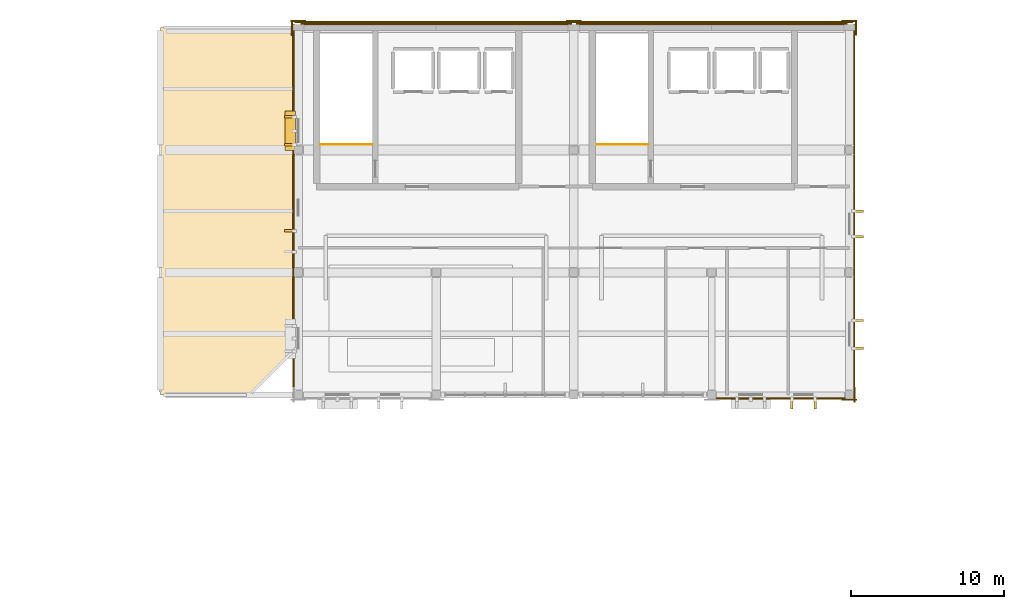
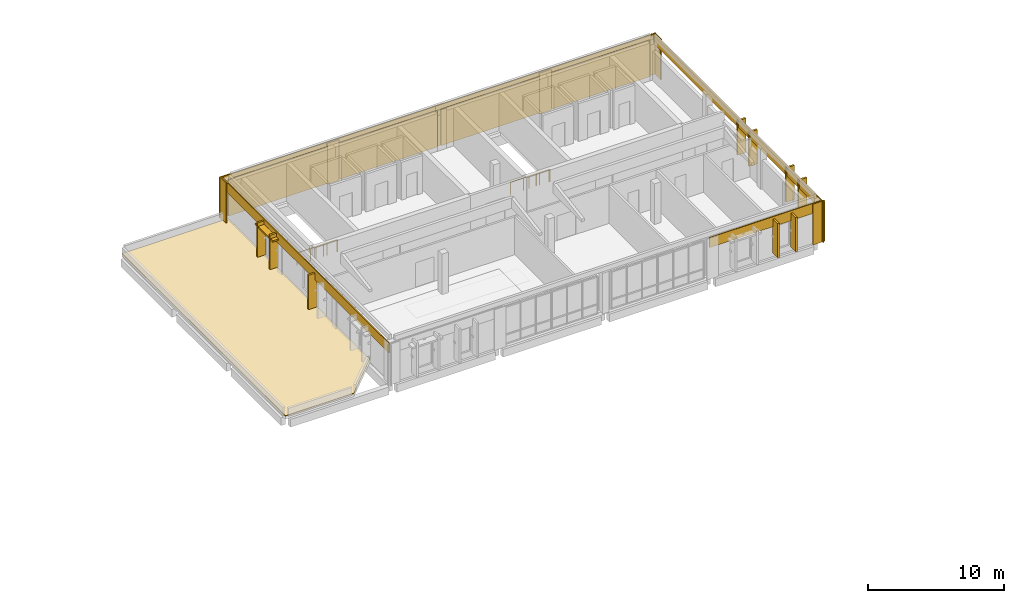
# One storey, part 11 of 12: 21 coverings, 10 shading devices, 4 railings.
"""IFC4 building model written with IfcOpenShell, lengths in metres."""

from ifc_helpers import new_model, si_unit, direction, frame, origin, origin_2d, place, context, subcontext, project, spatial, polyline, rectangle, circle, outline, extrude, material, layer, layer_set, type_object, element, save


model = new_model("IFC4")

# Units and contexts
model_context = context("Model", 3, precision=1e-05, world=origin(), true_north=direction((0.0, 1.0)))
body_context = subcontext(model_context, "Body", "Model", "MODEL_VIEW")
ifc_project = project(units=[si_unit("LENGTHUNIT", "METRE"), si_unit("AREAUNIT", "SQUARE_METRE"), si_unit("VOLUMEUNIT", "CUBIC_METRE"), si_unit("PLANEANGLEUNIT", "RADIAN"), si_unit("MASSUNIT", "GRAM", prefix="KILO")], contexts=[model_context])

# Site, building, storey
site_placement = place(None, origin())
site = spatial("IfcSite", under=ifc_project, at=site_placement, CompositionType="ELEMENT")
building_placement = place(site_placement, origin())
building = spatial("IfcBuilding", under=site, at=building_placement, Name="Vervanel Yard Central Library", CompositionType="ELEMENT")
storey_placement = place(building_placement, frame((0.0, 0.0, 20.260009765625)))
storey = spatial("IfcBuildingStorey", under=building, at=storey_placement, Name="L05", CompositionType="ELEMENT", Elevation=20.260009765625)

# Coverings
ifc_material_1 = material(Name="Precast concrete C45/55", Category="concrete")
ifc_layer_1 = layer(ifc_material_1, 0.0849609375, Category="concrete")
ifc_layer_set_1 = layer_set([ifc_layer_1], Name="Precast concrete C45/55")
covering_type_1 = type_object("IfcCoveringType", Name="Bush-Hammered Precast Architectural Cladding Panel", PredefinedType="CLADDING", material=ifc_layer_set_1)
covering_1_placement = place(storey_placement, frame((49.5, 114.364990234375, 2.77001953125), z_axis=(0.0, 0.0, 1.0), x_axis=(1.0, 0.0, 0.0)))
element("IfcCovering", 1, at=covering_1_placement, inside=storey, type_object=covering_type_1, Name="L05 Precast Concrete Spandrel Cornice EWALL-L05-0072", PredefinedType="CLADDING", context=body_context, shape_type="SweptSolid", body=[
    extrude(rectangle(XDim=9.449951171875, YDim=0.0849609375, at=origin_2d()), origin(), (0.0, 0.0, 1.0), 0.889892578125),
])
for number, where, z_axis, x_axis, name in (
    (2, (45.0, 114.41748046875, 0.0), (0.0, 0.0, 1.0), (1.0, 0.0, 0.0), "L05 Precast Concrete Pier Pilaster EWALL-L05-0072-A"),
    (3, (54.0, 114.232421875, 0.0), (0.0, 0.0, 1.0), (1.0, 0.0, 0.0), "L05 Precast Concrete Pier Pilaster EWALL-L05-0072-B"),
):
    element("IfcCovering", number, at=place(storey_placement, frame(where, z_axis=z_axis, x_axis=x_axis)), inside=storey, type_object=covering_type_1, Name=name, PredefinedType="CLADDING", context=body_context, shape_type="SweptSolid", body=[
        extrude(rectangle(XDim=0.97998046875, YDim=0.0849609375, at=origin_2d()), origin(), (0.0, 0.0, 1.0), 3.659912109375),
    ])
covering_2_placement = place(storey_placement, frame((49.5, 114.232421875, 0.080078125), z_axis=(0.0, 0.0, 1.0), x_axis=(1.0, 0.0, 0.0)))
element("IfcCovering", 4, at=covering_2_placement, inside=storey, type_object=covering_type_1, Name="L05 Bush-Hammered Precast Cladding EWALL-L05-0072", PredefinedType="CLADDING", context=body_context, shape_type="SweptSolid", body=[
    extrude(rectangle(XDim=8.699951171875, YDim=0.0849609375, at=origin_2d()), origin(), (0.0, 0.0, 1.0), 3.22998046875),
])
covering_3_placement = place(storey_placement, frame((58.5, 114.364990234375, 2.77001953125), z_axis=(0.0, 0.0, 1.0), x_axis=(1.0, 0.0, 0.0)))
element("IfcCovering", 5, at=covering_3_placement, inside=storey, type_object=covering_type_1, Name="L05 Precast Concrete Spandrel Cornice EWALL-L05-0073", PredefinedType="CLADDING", context=body_context, shape_type="SweptSolid", body=[
    extrude(rectangle(XDim=9.449951171875, YDim=0.0849609375, at=origin_2d()), origin(), (0.0, 0.0, 1.0), 0.889892578125),
])
covering_4_placement = place(storey_placement, frame((63.0, 114.41748046875, 0.0), z_axis=(0.0, 0.0, 1.0), x_axis=(1.0, 0.0, 0.0)))
element("IfcCovering", 6, at=covering_4_placement, inside=storey, type_object=covering_type_1, Name="L05 Precast Concrete Pier Pilaster EWALL-L05-0073-B", PredefinedType="CLADDING", context=body_context, shape_type="SweptSolid", body=[
    extrude(rectangle(XDim=0.97998046875, YDim=0.0849609375, at=origin_2d()), origin(), (0.0, 0.0, 1.0), 3.659912109375),
])
covering_5_placement = place(storey_placement, frame((58.5, 114.232421875, 0.080078125), z_axis=(0.0, 0.0, 1.0), x_axis=(1.0, 0.0, 0.0)))
element("IfcCovering", 7, at=covering_5_placement, inside=storey, type_object=covering_type_1, Name="L05 Bush-Hammered Precast Cladding EWALL-L05-0073", PredefinedType="CLADDING", context=body_context, shape_type="SweptSolid", body=[
    extrude(rectangle(XDim=8.699951171875, YDim=0.0849609375, at=origin_2d()), origin(), (0.0, 0.0, 1.0), 3.22998046875),
])
covering_6_placement = place(storey_placement, frame((67.5, 114.364990234375, 2.77001953125), z_axis=(0.0, 0.0, 1.0), x_axis=(1.0, 0.0, 0.0)))
element("IfcCovering", 8, at=covering_6_placement, inside=storey, type_object=covering_type_1, Name="L05 Precast Concrete Spandrel Cornice EWALL-L05-0074", PredefinedType="CLADDING", context=body_context, shape_type="SweptSolid", body=[
    extrude(rectangle(XDim=9.449951171875, YDim=0.0849609375, at=origin_2d()), origin(), (0.0, 0.0, 1.0), 0.889892578125),
])
covering_7_placement = place(storey_placement, frame((72.0, 114.232421875, 0.0), z_axis=(0.0, 0.0, 1.0), x_axis=(1.0, 0.0, 0.0)))
element("IfcCovering", 9, at=covering_7_placement, inside=storey, type_object=covering_type_1, Name="L05 Precast Concrete Pier Pilaster EWALL-L05-0074-B", PredefinedType="CLADDING", context=body_context, shape_type="SweptSolid", body=[
    extrude(rectangle(XDim=0.97998046875, YDim=0.0849609375, at=origin_2d()), origin(), (0.0, 0.0, 1.0), 3.659912109375),
])
covering_8_placement = place(storey_placement, frame((67.5, 114.232421875, 0.080078125), z_axis=(0.0, 0.0, 1.0), x_axis=(1.0, 0.0, 0.0)))
element("IfcCovering", 10, at=covering_8_placement, inside=storey, type_object=covering_type_1, Name="L05 Bush-Hammered Precast Cladding EWALL-L05-0074", PredefinedType="CLADDING", context=body_context, shape_type="SweptSolid", body=[
    extrude(rectangle(XDim=8.699951171875, YDim=0.0849609375, at=origin_2d()), origin(), (0.0, 0.0, 1.0), 3.22998046875),
])
covering_9_placement = place(storey_placement, frame((76.5, 114.364990234375, 2.77001953125), z_axis=(0.0, 0.0, 1.0), x_axis=(1.0, 0.0, 0.0)))
element("IfcCovering", 11, at=covering_9_placement, inside=storey, type_object=covering_type_1, Name="L05 Precast Concrete Spandrel Cornice EWALL-L05-0075", PredefinedType="CLADDING", context=body_context, shape_type="SweptSolid", body=[
    extrude(rectangle(XDim=9.449951171875, YDim=0.0849609375, at=origin_2d()), origin(), (0.0, 0.0, 1.0), 0.889892578125),
])
covering_10_placement = place(storey_placement, frame((81.0, 114.41748046875, 0.0), z_axis=(0.0, 0.0, 1.0), x_axis=(1.0, 0.0, 0.0)))
element("IfcCovering", 12, at=covering_10_placement, inside=storey, type_object=covering_type_1, Name="L05 Precast Concrete Pier Pilaster EWALL-L05-0075-B", PredefinedType="CLADDING", context=body_context, shape_type="SweptSolid", body=[
    extrude(rectangle(XDim=0.97998046875, YDim=0.0849609375, at=origin_2d()), origin(), (0.0, 0.0, 1.0), 3.659912109375),
])
covering_11_placement = place(storey_placement, frame((76.5, 114.232421875, 0.080078125), z_axis=(0.0, 0.0, 1.0), x_axis=(1.0, 0.0, 0.0)))
element("IfcCovering", 13, at=covering_11_placement, inside=storey, type_object=covering_type_1, Name="L05 Bush-Hammered Precast Cladding EWALL-L05-0075", PredefinedType="CLADDING", context=body_context, shape_type="SweptSolid", body=[
    extrude(rectangle(XDim=8.699951171875, YDim=0.0849609375, at=origin_2d()), origin(), (0.0, 0.0, 1.0), 3.22998046875),
])
covering_12_placement = place(storey_placement, frame((76.5, 89.760009765625, 2.77001953125), z_axis=(0.0, 0.0, 1.0), x_axis=(1.0, 0.0, 0.0)))
element("IfcCovering", 14, at=covering_12_placement, inside=storey, type_object=covering_type_1, Name="L05 Precast Concrete Spandrel Cornice EWALL-L05-0077", PredefinedType="CLADDING", context=body_context, shape_type="SweptSolid", body=[
    extrude(rectangle(XDim=9.449951171875, YDim=0.0849609375, at=origin_2d()), origin(), (0.0, 0.0, 1.0), 0.889892578125),
])
covering_13_placement = place(storey_placement, frame((81.0, 89.6826171875, 0.0), z_axis=(0.0, 0.0, 1.0), x_axis=(1.0, 0.0, 0.0)))
element("IfcCovering", 15, at=covering_13_placement, inside=storey, type_object=covering_type_1, Name="L05 Precast Concrete Pier Pilaster EWALL-L05-0077-B", PredefinedType="CLADDING", context=body_context, shape_type="SweptSolid", body=[
    extrude(rectangle(XDim=0.97998046875, YDim=0.0849609375, at=origin_2d()), origin(), (0.0, 0.0, 1.0), 3.659912109375),
])
covering_14_placement = place(storey_placement, frame((44.68505859375, 102.0, 2.77001953125), z_axis=(0.0, 0.0, 1.0), x_axis=(0.0, 1.0, 0.0)))
element("IfcCovering", 16, at=covering_14_placement, inside=storey, type_object=covering_type_1, Name="L05 Precast Concrete Spandrel Cornice EWALL-L05-0078", PredefinedType="CLADDING", context=body_context, shape_type="SweptSolid", body=[
    extrude(rectangle(XDim=24.449951171875, YDim=0.0849609375, at=origin_2d()), origin(), (0.0, 0.0, 1.0), 0.889892578125),
])
covering_15_placement = place(storey_placement, frame((44.58251953125, 114.0, 0.0), z_axis=(0.0, 0.0, 1.0), x_axis=(0.0, 1.0, 0.0)))
element("IfcCovering", 17, at=covering_15_placement, inside=storey, type_object=covering_type_1, Name="L05 Precast Concrete Pier Pilaster EWALL-L05-0078-B", PredefinedType="CLADDING", context=body_context, shape_type="SweptSolid", body=[
    extrude(rectangle(XDim=0.97998046875, YDim=0.0849609375, at=origin_2d()), origin(), (0.0, 0.0, 1.0), 3.659912109375),
])
covering_16_placement = place(storey_placement, frame((81.31494140625, 102.0, 2.77001953125), z_axis=(0.0, 0.0, 1.0), x_axis=(0.0, 1.0, 0.0)))
element("IfcCovering", 18, at=covering_16_placement, inside=storey, type_object=covering_type_1, Name="L05 Precast Concrete Spandrel Cornice EWALL-L05-0079", PredefinedType="CLADDING", context=body_context, shape_type="SweptSolid", body=[
    extrude(rectangle(XDim=24.449951171875, YDim=0.0849609375, at=origin_2d()), origin(), (0.0, 0.0, 1.0), 0.889892578125),
])
for number, where, z_axis, x_axis, name in (
    (19, (81.3173828125, 90.0, 0.0), (0.0, 0.0, 1.0), (0.0, 1.0, 0.0), "L05 Precast Concrete Pier Pilaster EWALL-L05-0079-A"),
    (20, (81.41748046875, 114.0, 0.0), (0.0, 0.0, 1.0), (0.0, 1.0, 0.0), "L05 Precast Concrete Pier Pilaster EWALL-L05-0079-B"),
):
    element("IfcCovering", number, at=place(storey_placement, frame(where, z_axis=z_axis, x_axis=x_axis)), inside=storey, type_object=covering_type_1, Name=name, PredefinedType="CLADDING", context=body_context, shape_type="SweptSolid", body=[
        extrude(rectangle(XDim=0.97998046875, YDim=0.0849609375, at=origin_2d()), origin(), (0.0, 0.0, 1.0), 3.659912109375),
    ])

# Shading device
shading_device_type_1 = type_object("IfcShadingDeviceType", Name="Horizontal Precast Brise-Soleil Sunhood 2600x680x140", PredefinedType="JALOUSIE", material=ifc_material_1)
shading_device_placement = place(storey_placement, frame((44.47998046875, 107.25, 3.080078125), z_axis=(0.0, 0.0, 1.0), x_axis=(0.0, 1.0, 0.0)))
element("IfcShadingDevice", 21, at=shading_device_placement, inside=storey, type_object=shading_device_type_1, Name="L05 Precast Horizontal Sunhood 35", PredefinedType="JALOUSIE", context=body_context, shape_type="SweptSolid", body=[
    extrude(rectangle(XDim=2.60009765625, YDim=0.679931640625, at=origin_2d()), origin(), (0.0, 0.0, 1.0), 0.139892578125),
])

# Railings
ifc_material_2 = material(Name="Galvanized painted steelwork ASTM A500 Grade C", Category="steel")
railing_type = type_object("IfcRailingType", Name="Painted Steel Guardrail 1100", PredefinedType="GUARDRAIL", material=ifc_material_2)
railing_1_placement = place(storey_placement, frame((49.85009765625, 106.35009765625, 0.0)))
element("IfcRailing", 22, at=railing_1_placement, inside=storey, type_object=railing_type, Name="L05 ST-01 top well guard 1", PredefinedType="GUARDRAIL", context=body_context, shape_type="SweptSolid", body=[
    extrude(circle(Radius=0.02392578125, at=origin_2d()), frame((0.0, 0.0, 1.076171875), z_axis=(-1.0, 0.0, 0.0), x_axis=(0.0, -1.0, 0.0)), (0.0, 0.0, 1.0), 1.81005859375),
    extrude(circle(Radius=0.02099609375, at=origin_2d()), origin(), (0.0, 0.0, 1.0), 1.052001953125),
    extrude(circle(Radius=0.02099609375, at=origin_2d()), frame((-0.905029296875, 0.0, 0.0)), (0.0, 0.0, 1.0), 1.052001953125),
    extrude(circle(Radius=0.02099609375, at=origin_2d()), frame((-1.81005859375, 0.0, 0.0)), (0.0, 0.0, 1.0), 1.052001953125),
])
railing_2_placement = place(storey_placement, frame((46.43994140625, 106.360107421875, 0.0)))
element("IfcRailing", 23, at=railing_2_placement, inside=storey, type_object=railing_type, Name="L05 CORE-A Top Stair Well Guard", PredefinedType="GUARDRAIL", context=body_context, shape_type="SweptSolid", body=[
    extrude(circle(Radius=0.02392578125, at=origin_2d()), frame((0.0, 0.0, 1.076171875), z_axis=(1.0, 0.0, 0.0), x_axis=(0.0, 1.0, 0.0)), (0.0, 0.0, 1.0), 3.360107421875),
    extrude(circle(Radius=0.02099609375, at=origin_2d()), origin(), (0.0, 0.0, 1.0), 1.052001953125),
    extrude(circle(Radius=0.02099609375, at=origin_2d()), frame((1.1201171875, 0.0, 0.0)), (0.0, 0.0, 1.0), 1.052001953125),
    extrude(circle(Radius=0.02099609375, at=origin_2d()), frame((2.239990234375, 0.0, 0.0)), (0.0, 0.0, 1.0), 1.052001953125),
    extrude(circle(Radius=0.02099609375, at=origin_2d()), frame((3.360107421875, 0.0, 0.0)), (0.0, 0.0, 1.0), 1.052001953125),
])
railing_3_placement = place(storey_placement, frame((67.85009765625, 106.35009765625, 0.0)))
element("IfcRailing", 24, at=railing_3_placement, inside=storey, type_object=railing_type, Name="L05 ST-02 top well guard 1", PredefinedType="GUARDRAIL", context=body_context, shape_type="SweptSolid", body=[
    extrude(circle(Radius=0.02392578125, at=origin_2d()), frame((0.0, 0.0, 1.076171875), z_axis=(-1.0, 0.0, 0.0), x_axis=(0.0, -1.0, 0.0)), (0.0, 0.0, 1.0), 1.780029296875),
    extrude(circle(Radius=0.02099609375, at=origin_2d()), origin(), (0.0, 0.0, 1.0), 1.052001953125),
    extrude(circle(Radius=0.02099609375, at=origin_2d()), frame((-0.89013671875, 0.0, 0.0)), (0.0, 0.0, 1.0), 1.052001953125),
    extrude(circle(Radius=0.02099609375, at=origin_2d()), frame((-1.780029296875, 0.0, 0.0)), (0.0, 0.0, 1.0), 1.052001953125),
])
railing_4_placement = place(storey_placement, frame((64.5, 106.360107421875, 0.0)))
element("IfcRailing", 25, at=railing_4_placement, inside=storey, type_object=railing_type, Name="L05 CORE-B Top Stair Well Guard", PredefinedType="GUARDRAIL", context=body_context, shape_type="SweptSolid", body=[
    extrude(circle(Radius=0.02392578125, at=origin_2d()), frame((0.0, 0.0, 1.076171875), z_axis=(1.0, 0.0, 0.0), x_axis=(0.0, 1.0, 0.0)), (0.0, 0.0, 1.0), 3.300048828125),
    extrude(circle(Radius=0.02099609375, at=origin_2d()), origin(), (0.0, 0.0, 1.0), 1.052001953125),
    extrude(circle(Radius=0.02099609375, at=origin_2d()), frame((1.10009765625, 0.0, 0.0)), (0.0, 0.0, 1.0), 1.052001953125),
    extrude(circle(Radius=0.02099609375, at=origin_2d()), frame((2.199951171875, 0.0, 0.0)), (0.0, 0.0, 1.0), 1.052001953125),
    extrude(circle(Radius=0.02099609375, at=origin_2d()), frame((3.300048828125, 0.0, 0.0)), (0.0, 0.0, 1.0), 1.052001953125),
])

# Covering
ifc_material_3 = material(Name="Standing-seam dark zinc-coated metal roofing", Category="metal")
ifc_layer_2 = layer(ifc_material_3, 0.06494140625, Category="metal")
ifc_layer_set_2 = layer_set([ifc_layer_2], Name="Standing-seam dark zinc-coated metal roofing")
covering_type_2 = type_object("IfcCoveringType", Name="Standing-Seam Dark Zinc Roof Assembly", PredefinedType="ROOFING", material=ifc_layer_set_2)
covering_17_placement = place(storey_placement, origin())
element("IfcCovering", 26, at=covering_17_placement, inside=storey, type_object=covering_type_2, Name="L05 Roof Covering ROOF-L05-V1W", PredefinedType="ROOFING", context=body_context, shape_type="SweptSolid", body=[
    extrude(outline(polyline([(36.0, 90.0), (41.800048828125, 90.0), (45.0, 93.199951171875), (45.0, 114.0), (36.0, 114.0), (36.0, 90.0)])), origin(), (0.0, 0.0, 1.0), 0.06494140625),
])

# Shading devices
shading_device_type_2 = type_object("IfcShadingDeviceType", Name="Vertical Precast Solar Fin 160x720x3200", PredefinedType="JALOUSIE", material=ifc_material_1)
for number, where, z_axis, x_axis, name in (
    (27, (77.239990234375, 89.429931640625, 0.36474609375), (0.0, 0.0, 1.0), (1.0, 0.0, 0.0), "L05 Precast Solar Fin 213"),
    (28, (78.760009765625, 89.429931640625, 0.36474609375), (0.0, 0.0, 1.0), (1.0, 0.0, 0.0), "L05 Precast Solar Fin 214"),
    (29, (44.449951171875, 100.7099609375, 0.2900390625), (0.0, 0.0, 1.0), (0.0, 1.0, 0.0), "L05 Precast Solar Fin 218"),
    (30, (44.449951171875, 106.340087890625, 0.46484375), (0.0, 0.0, 1.0), (0.0, 1.0, 0.0), "L05 Precast Solar Fin 219"),
    (31, (44.449951171875, 108.159912109375, 0.46484375), (0.0, 0.0, 1.0), (0.0, 1.0, 0.0), "L05 Precast Solar Fin 220"),
    (32, (81.550048828125, 93.0400390625, 0.46484375), (0.0, 0.0, 1.0), (0.0, 1.0, 0.0), "L05 Precast Solar Fin 221"),
    (33, (81.550048828125, 94.860107421875, 0.46484375), (0.0, 0.0, 1.0), (0.0, 1.0, 0.0), "L05 Precast Solar Fin 222"),
    (34, (81.550048828125, 100.340087890625, 0.33984375), (0.0, 0.0, 1.0), (0.0, 1.0, 0.0), "L05 Precast Solar Fin 223"),
    (35, (81.550048828125, 102.010009765625, 0.33984375), (0.0, 0.0, 1.0), (0.0, 1.0, 0.0), "L05 Precast Solar Fin 224"),
):
    element("IfcShadingDevice", number, at=place(storey_placement, frame(where, z_axis=z_axis, x_axis=x_axis)), inside=storey, type_object=shading_device_type_2, Name=name, PredefinedType="JALOUSIE", context=body_context, shape_type="SweptSolid", body=[
        extrude(rectangle(XDim=0.159912109375, YDim=0.719970703125, at=origin_2d()), origin(), (0.0, 0.0, 1.0), 3.070068359375),
    ])

save(model, "model.ifc")
